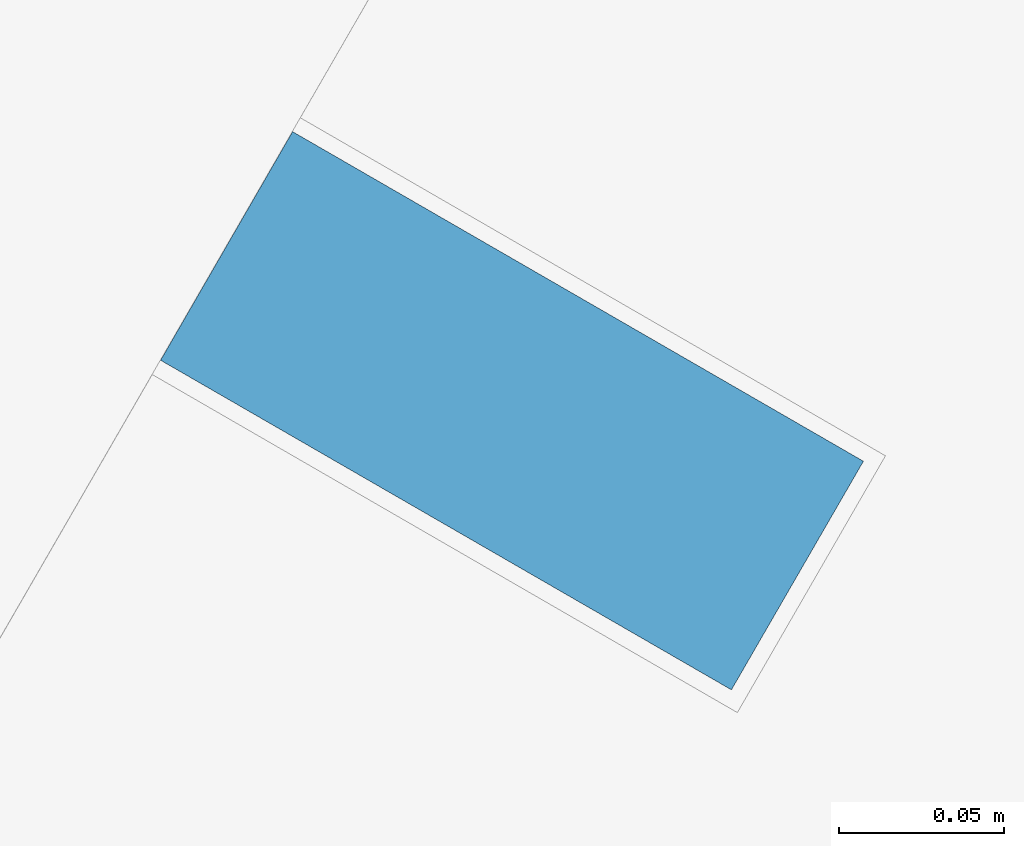
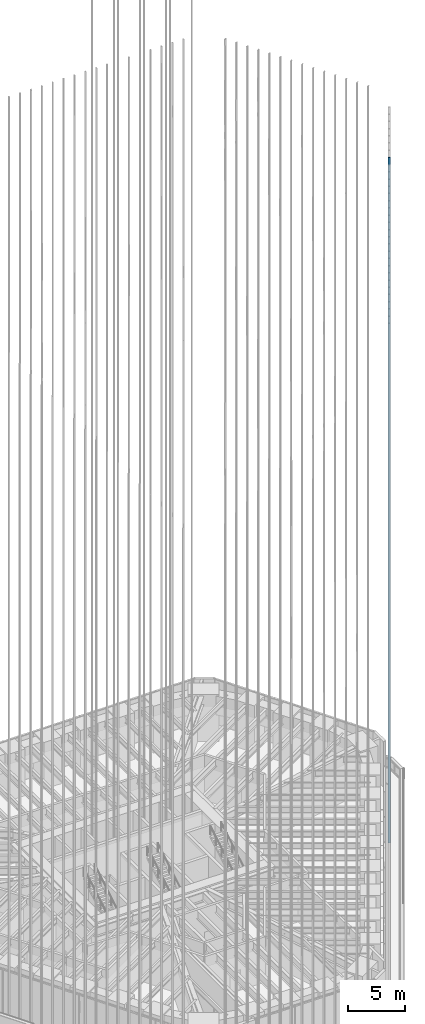
# One storey, part 115 of 228: 1 member, 1 element without a shape of its own.
"""IFC4 building model written with IfcOpenShell, lengths in metres."""

from ifc_helpers import new_model, si_unit, direction, frame, origin, origin_2d, place, context, subcontext, project, spatial, rectangle, extrude, material, material_profile, profile_set, type_object, element, aggregate, save


model = new_model("IFC4")

# Units and contexts
model_context = context("Model", 3, precision=1e-05, world=origin(), true_north=direction((0.0, 1.0)))
body_context = subcontext(model_context, "Body", "Model", "MODEL_VIEW")
ifc_project = project(units=[si_unit("LENGTHUNIT", "METRE"), si_unit("AREAUNIT", "SQUARE_METRE"), si_unit("VOLUMEUNIT", "CUBIC_METRE"), si_unit("PLANEANGLEUNIT", "RADIAN"), si_unit("MASSUNIT", "GRAM", prefix="KILO")], contexts=[model_context])

# Site, building, storey
site_placement = place(None, origin())
site = spatial("IfcSite", under=ifc_project, at=site_placement, CompositionType="ELEMENT")
building_placement = place(site_placement, origin())
building = spatial("IfcBuilding", under=site, at=building_placement, Name="Sandreach Pilgrim Tower", CompositionType="ELEMENT")
storey_placement = place(building_placement, frame((0.0, 0.0, 178.199951171875)))
storey = spatial("IfcBuildingStorey", under=building, at=storey_placement, Name="L44", CompositionType="ELEMENT", Elevation=178.199951171875)

# Curtain wall, member
ifc_material_1 = material(Name="Aluminium framed curtain wall", Category="aluminium")
curtain_wall_type = type_object("IfcCurtainWallType", Name="Upper hotel tower curtain wall", PredefinedType="NOTDEFINED", material=ifc_material_1)
curtain_wall_placement = place(storey_placement, origin())
curtain_wall = element("IfcCurtainWall", 1, at=curtain_wall_placement, inside=storey, type_object=curtain_wall_type, Name="CW-3 L44 SE", PredefinedType="NOTDEFINED")
ifc_material_2 = material(Name="Extruded terracotta on aluminium core", Category="masonry")
ifc_material_profile = material_profile(ifc_material_2, rectangle(XDim=0.080078125, YDim=0.199951171875, at=origin_2d()), Name="TBE 80X200")
ifc_profile_set = profile_set([ifc_material_profile], Name="Extruded terracotta on aluminium core")
member_type = type_object("IfcMemberType", Name="Terracotta baguette east", PredefinedType="USERDEFINED", material=ifc_profile_set)
member_placement = place(storey_placement, frame((23.076904296875, -3.14990234375, 0.0), z_axis=(0.0, 0.0, 1.0), x_axis=(-0.5, -0.866025403784, 0.0)))
member = element("IfcMember", 2, at=member_placement, type_object=member_type, Name="Baguette Z3 SE08", ObjectType="BAGUETTE", PredefinedType="USERDEFINED", context=body_context, shape_type="SweptSolid", body=[
    extrude(rectangle(XDim=0.080078125, YDim=0.199951171875, at=origin_2d()), origin(), (0.0, 0.0, 1.0), 73.239990234375),
])
aggregate(curtain_wall, [member])

save(model, "model.ifc")
